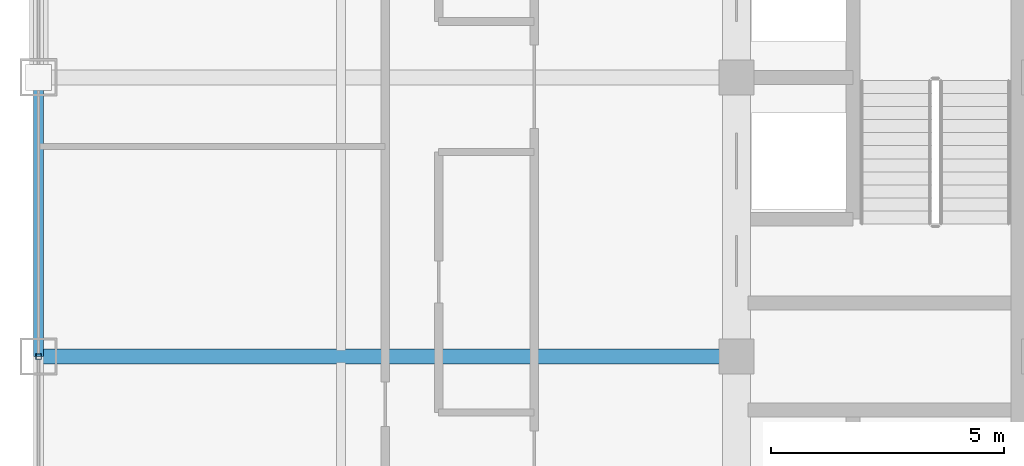
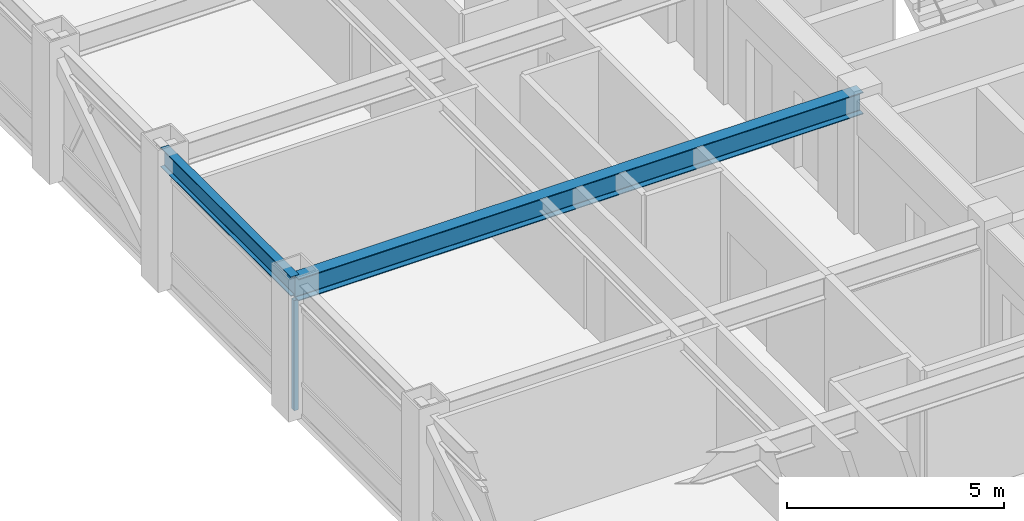
# One storey, part 7 of 30: 2 beams, 1 member, 1 element without a shape of its own.
"""IFC4 building model written with IfcOpenShell, lengths in metres."""

from ifc_helpers import new_model, si_unit, direction, frame, origin, origin_2d, place, context, subcontext, project, spatial, hollow_rectangle, i_section, extrude, source, transform, mapped, material, material_profile, profile_set, type_object, element, aggregate, save


model = new_model("IFC4")

# Units and contexts
model_context = context("Model", 3, precision=1e-05, world=origin(), true_north=direction((0.0, 1.0)))
body_context = subcontext(model_context, "Body", "Model", "MODEL_VIEW")
ifc_project = project(units=[si_unit("LENGTHUNIT", "METRE"), si_unit("AREAUNIT", "SQUARE_METRE"), si_unit("VOLUMEUNIT", "CUBIC_METRE"), si_unit("PLANEANGLEUNIT", "RADIAN"), si_unit("MASSUNIT", "GRAM", prefix="KILO")], contexts=[model_context])

# Site, building, storey
site_placement = place(None, origin())
site = spatial("IfcSite", under=ifc_project, at=site_placement, CompositionType="ELEMENT")
building_placement = place(site_placement, origin())
building = spatial("IfcBuilding", under=site, at=building_placement, Name="Khorayat Bourse Tower", CompositionType="ELEMENT")
storey_placement = place(building_placement, frame((0.0, 0.0, 326.300048828125)))
storey = spatial("IfcBuildingStorey", under=building, at=storey_placement, Name="L77", CompositionType="ELEMENT", Elevation=326.300048828125)

# Beams
ifc_material_1 = material(Name="Steel ASTM A992 Grade 50", Category="steel")
ifc_material_profile_1 = material_profile(ifc_material_1, i_section(OverallWidth=0.214111328125, OverallDepth=0.549072265625, WebThickness=0.0146484375, FlangeThickness=0.023681640625, FilletRadius=0.013916015625, at=origin_2d()), Name="W530X138")
ifc_profile_set_1 = profile_set([ifc_material_profile_1], Name="Steel ASTM A992 Grade 50")
beam_type_1 = type_object("IfcBeamType", Name="BM-SPAN-530", PredefinedType="SPANDREL", material=ifc_profile_set_1)
shared_shape_1 = source(origin(), body_context, "Body", "SweptSolid", [
    extrude(i_section(OverallWidth=0.214111328125, OverallDepth=0.549072265625, WebThickness=0.0146484375, FlangeThickness=0.023681640625, FilletRadius=0.013916015625, at=origin_2d()), origin(), (0.0, 0.0, 1.0), 6.0),
])
beam_1_placement = place(storey_placement, frame((-26.0, 0.0, 3.46533203125), z_axis=(0.0, 1.0, 0.0), x_axis=(-1.0, 0.0, 0.0)))
element("IfcBeam", 1, at=beam_1_placement, inside=storey, type_object=beam_type_1, Name="L77 BM-SPAN-530 BM-L77-SPN-050", PredefinedType="SPANDREL", context=body_context, shape_type="MappedRepresentation", body=[
    mapped(shared_shape_1, transform((0.0, 0.0, 0.0), scale=1.0)),
])
ifc_material_profile_2 = material_profile(ifc_material_1, i_section(OverallWidth=0.324951171875, OverallDepth=0.615966796875, WebThickness=0.013916015625, FlangeThickness=0.021484375, FilletRadius=0.01611328125, at=origin_2d()), Name="W610X174")
ifc_profile_set_2 = profile_set([ifc_material_profile_2], Name="Steel ASTM A992 Grade 50")
beam_type_2 = type_object("IfcBeamType", Name="BM-GIRD-610", PredefinedType="BEAM", material=ifc_profile_set_2)
shared_shape_2 = source(origin(), body_context, "Body", "SweptSolid", [
    extrude(i_section(OverallWidth=0.324951171875, OverallDepth=0.615966796875, WebThickness=0.013916015625, FlangeThickness=0.021484375, FilletRadius=0.01611328125, at=origin_2d()), origin(), (0.0, 0.0, 1.0), 15.0),
])
beam_2_placement = place(storey_placement, frame((-26.0, 0.0, 3.431884765625), z_axis=(1.0, 0.0, 0.0), x_axis=(0.0, 1.0, 0.0)))
element("IfcBeam", 2, at=beam_2_placement, inside=storey, type_object=beam_type_2, Name="L77 BM-GIRD-610 BM-L77-RADX-071", PredefinedType="BEAM", context=body_context, shape_type="MappedRepresentation", body=[
    mapped(shared_shape_2, transform((0.0, 0.0, 0.0), scale=1.0)),
])

# Curtain wall, member
ifc_material_2 = material(Name="Aluminium EN AW-6063 T6", Category="aluminium")
curtain_wall_type = type_object("IfcCurtainWallType", Name="CW-SYS-04", PredefinedType="NOTDEFINED", material=ifc_material_2)
curtain_wall_placement = place(storey_placement, origin())
curtain_wall = element("IfcCurtainWall", 3, at=curtain_wall_placement, inside=storey, type_object=curtain_wall_type, Name="L77 Curtain Wall CW-L77-W1", PredefinedType="NOTDEFINED")
ifc_material_profile_3 = material_profile(ifc_material_2, hollow_rectangle(XDim=0.1201171875, YDim=0.1201171875, WallThickness=0.0048828125, at=origin_2d()), Name="ALU 120x120x5")
ifc_profile_set_3 = profile_set([ifc_material_profile_3], Name="Aluminium EN AW-6063 T6")
member_type = type_object("IfcMemberType", Name="CWM-VERT-120", PredefinedType="MULLION", material=ifc_profile_set_3)
shared_shape_3 = source(origin(), body_context, "Body", "SweptSolid", [
    extrude(hollow_rectangle(XDim=0.1201171875, YDim=0.1201171875, WallThickness=0.0048828125, at=origin_2d()), origin(), (0.0, 0.0, 1.0), 3.08984375),
])
member_placement = place(storey_placement, frame((-26.0, 0.0, 0.0), z_axis=(0.0, 0.0, 1.0), x_axis=(-1.0, 0.0, 0.0)))
member = element("IfcMember", 4, at=member_placement, type_object=member_type, Name="CW-L77-W1 Vertical Mullion 2", PredefinedType="MULLION", context=body_context, shape_type="MappedRepresentation", body=[
    mapped(shared_shape_3, transform((0.0, 0.0, 0.0), scale=1.0)),
])
aggregate(curtain_wall, [member])

save(model, "model.ifc")
